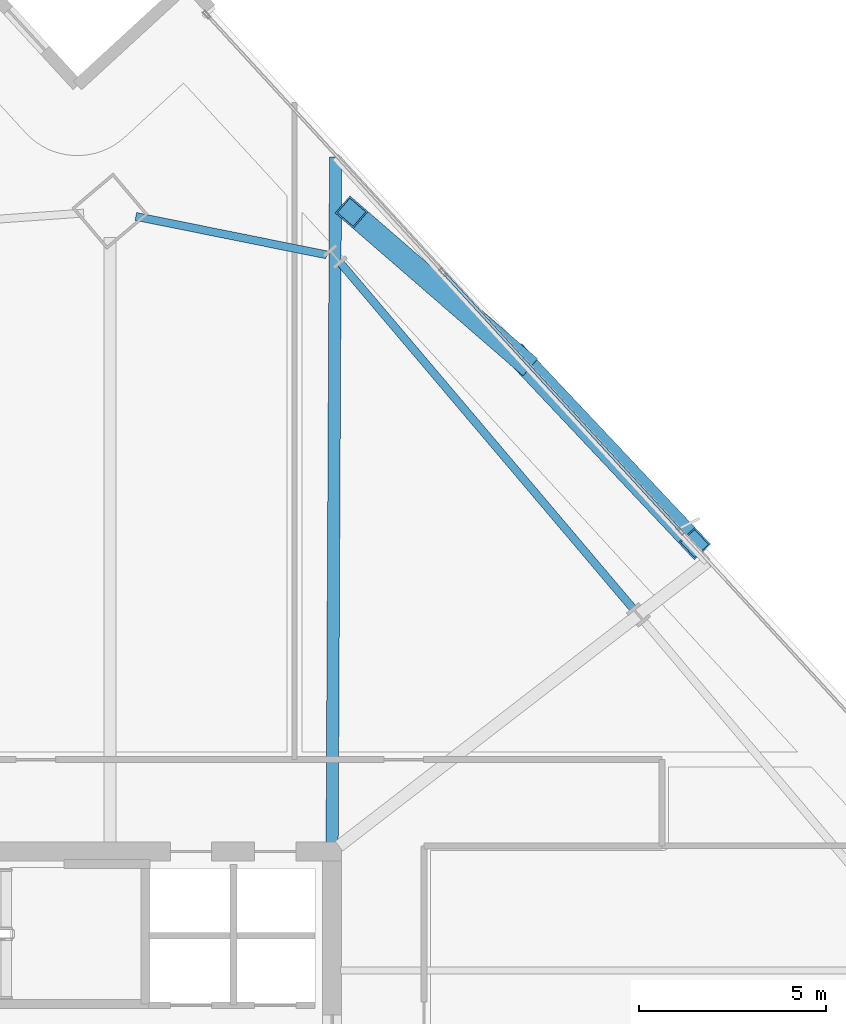
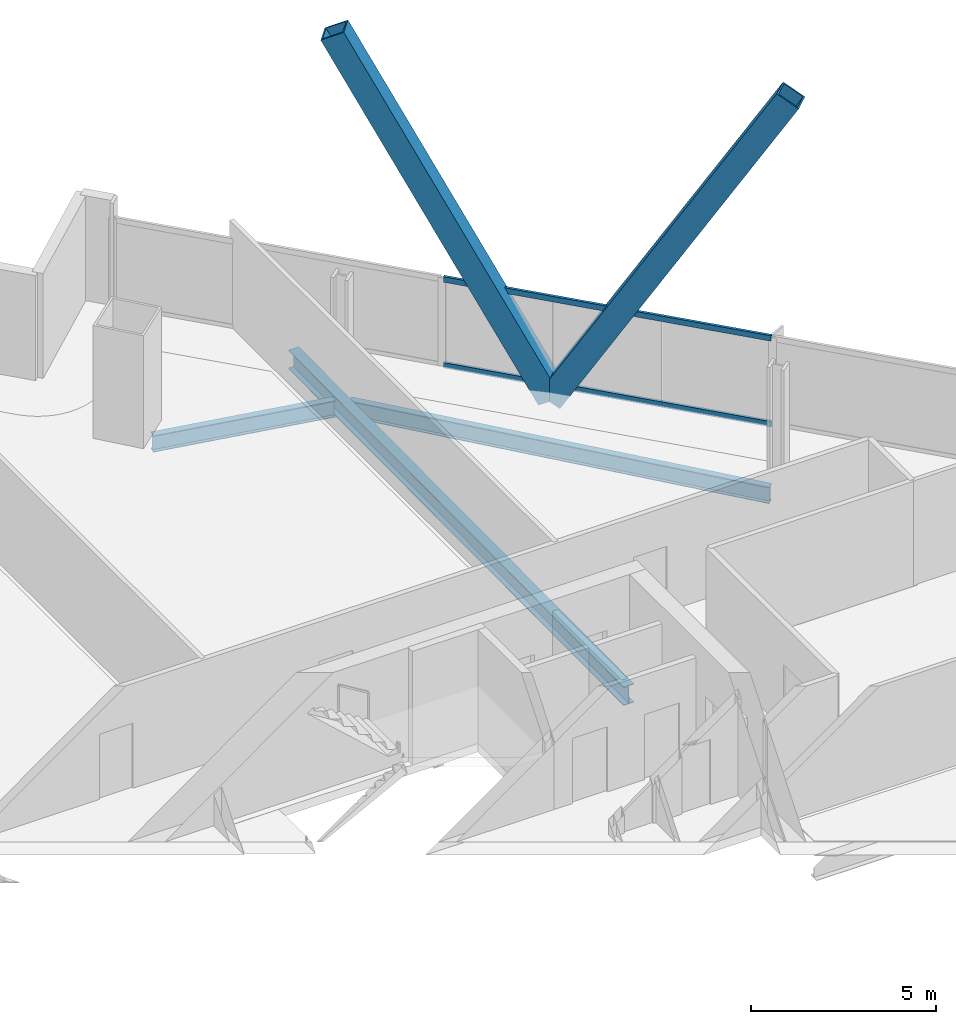
# One storey, part 21 of 32: 4 members, 3 beams, 1 element without a shape of its own.
"""IFC4 building model written with IfcOpenShell, lengths in metres."""

import ifcopenshell
import ifcopenshell.guid

model = None  # the IFC model being written
_history = None  # IfcOwnerHistory: only IFC2X3 demands one
_inside = {}  # id of a spatial element -> (the spatial element, [elements in it])
_under = {}  # id of a project, library or spatial element -> (it, [spatial elements below it])
_declared = {}  # id of a project -> (the project, [libraries it declares])
_typed = {}  # id of a type object -> (the type object, [elements of that type])
_made_of = {}  # id of a material, layer set ... -> (it, [elements and type objects made of it])


def new_model(schema):
    """Start an empty IFC model of exactly this schema.

    Asked for "IFC4X3", IfcOpenShell would pick the latest addendum, in which some entities
    have other attributes; the version numbers below select the first issue.
    IFC2X3 requires an IfcOwnerHistory on every rooted entity: one is made here for all.
    """
    global model, _history
    if schema == "IFC4X3":
        model = ifcopenshell.file(schema_version=(4, 3, 0, 0))
    else:
        model = ifcopenshell.file(schema=schema)
    _inside.clear()
    _under.clear()
    _declared.clear()
    _typed.clear()
    _made_of.clear()
    _history = None
    if model.schema == "IFC2X3":
        org = make("IfcOrganization", Name="unknown")
        user = make(
            "IfcPersonAndOrganization",
            ThePerson=make("IfcPerson", FamilyName="unknown"),
            TheOrganization=org,
        )
        app = make(
            "IfcApplication",
            ApplicationDeveloper=org,
            Version="unknown",
            ApplicationFullName="unknown",
            ApplicationIdentifier="unknown",
        )
        _history = make(
            "IfcOwnerHistory",
            OwningUser=user,
            OwningApplication=app,
            ChangeAction="ADDED",
            CreationDate=0,
        )
    return model


def make(cls, **values):
    """One entity of the class cls with the attributes given. An attribute that is None is left unset."""
    return model.create_entity(
        cls, **{name: value for name, value in values.items() if value is not None}
    )


def rooted(cls, **values):
    """An entity with a GlobalId (a new one), such as an element, a storey or a relation."""
    return make(cls, GlobalId=ifcopenshell.guid.new(), OwnerHistory=_history, **values)


def si_unit(unit_type, name, prefix=None):
    """IfcSIUnit, for example si_unit("LENGTHUNIT", "METRE", prefix="MILLI")."""
    return make("IfcSIUnit", UnitType=unit_type, Prefix=prefix, Name=name)


def assignment(units):
    """IfcUnitAssignment: the units of a project."""
    return None if units is None else make("IfcUnitAssignment", Units=units)


def point(xyz):
    """IfcCartesianPoint."""
    return None if xyz is None else make("IfcCartesianPoint", Coordinates=xyz)


def direction(xyz):
    """IfcDirection."""
    return None if xyz is None else make("IfcDirection", DirectionRatios=xyz)


def frame(location, z_axis=None, x_axis=None):
    """IfcAxis2Placement3D, a coordinate frame: its origin and axes. An axis left out is left unset."""
    return make(
        "IfcAxis2Placement3D",
        Location=point(location),
        Axis=direction(z_axis),
        RefDirection=direction(x_axis),
    )


def frame_2d(location, x_axis=None):
    """IfcAxis2Placement2D, a coordinate frame in the plane: its origin and x axis."""
    return make(
        "IfcAxis2Placement2D", Location=point(location), RefDirection=direction(x_axis)
    )


def origin():
    """The frame at (0, 0, 0) with its axes left unset."""
    return frame((0.0, 0.0, 0.0))


def origin_2d():
    """The frame at (0, 0) in the plane with its x axis left unset."""
    return frame_2d((0.0, 0.0))


def place(relative_to, where):
    """IfcLocalPlacement: puts the frame where relative to a parent placement (None: the world)."""
    return make(
        "IfcLocalPlacement", PlacementRelTo=relative_to, RelativePlacement=where
    )


def context(
    kind, dimensions, precision=None, world=None, true_north=None, identifier=None
):
    """IfcGeometricRepresentationContext, for example the 3D "Model" context."""
    return make(
        "IfcGeometricRepresentationContext",
        ContextIdentifier=identifier,
        ContextType=kind,
        CoordinateSpaceDimension=dimensions,
        Precision=precision,
        WorldCoordinateSystem=world,
        TrueNorth=true_north,
    )


def subcontext(parent, identifier, kind, view, scale=None):
    """IfcGeometricRepresentationSubContext, for example "Body" below "Model"."""
    return make(
        "IfcGeometricRepresentationSubContext",
        ContextIdentifier=identifier,
        ContextType=kind,
        ParentContext=parent,
        TargetScale=scale,
        TargetView=view,
    )


def project(units=None, contexts=None):
    """IfcProject with its units and contexts."""
    return rooted(
        "IfcProject",
        Name="project",
        RepresentationContexts=contexts,
        UnitsInContext=assignment(units),
    )


def spatial(cls, under=None, at=None, **own):
    """A site, building, storey or space (cls), placed at a placement, below another one or the project."""
    s = rooted(cls, ObjectPlacement=at, **own)
    if under is not None:
        _under.setdefault(under.id(), (under, []))[1].append(s)
    return s


def profile(cls, at=None, kind="AREA", **sizes):
    """A parametric profile (cls). Its sizes go by their IFC names, for example OverallWidth=200.0."""
    return make(cls, ProfileType=kind, Position=at, **sizes)


def hollow_rectangle(**sizes):
    """IfcRectangleHollowProfileDef."""
    return profile("IfcRectangleHollowProfileDef", **sizes)


def i_section(**sizes):
    """IfcIShapeProfileDef."""
    return profile("IfcIShapeProfileDef", **sizes)


def extrude(swept, where, along, depth):
    """IfcExtrudedAreaSolid: the profile swept, set in the frame where, extruded along a direction by depth."""
    return make(
        "IfcExtrudedAreaSolid",
        SweptArea=swept,
        Position=where,
        ExtrudedDirection=direction(along),
        Depth=depth,
    )


def shape(context_of_items, identifier, shape_type, items):
    """IfcShapeRepresentation: the items that make up one representation, for example the "Body"."""
    return make(
        "IfcShapeRepresentation",
        ContextOfItems=context_of_items,
        RepresentationIdentifier=identifier,
        RepresentationType=shape_type,
        Items=items,
    )


def material(Name=None, Category=None):
    """IfcMaterial."""
    return make("IfcMaterial", Name=Name, Category=Category)


def material_profile(
    of_material, cross_section, Name=None, Category=None, Priority=None
):
    """IfcMaterialProfile: a cross section and its material."""
    return make(
        "IfcMaterialProfile",
        Name=Name,
        Material=of_material,
        Profile=cross_section,
        Priority=Priority,
        Category=Category,
    )


def profile_set(profiles, Name=None, composite=None):
    """IfcMaterialProfileSet."""
    return make(
        "IfcMaterialProfileSet",
        Name=Name,
        MaterialProfiles=profiles,
        CompositeProfile=composite,
    )


def made_of(thing, what):
    """Note that an element or type object is made of a material, layer set ...; save() writes the relation."""
    if what is not None:
        _made_of.setdefault(what.id(), (what, []))[1].append(thing)
    return thing


def type_object(cls, material=None, **own):
    """A type object (cls), such as IfcWallType, which elements share."""
    return made_of(rooted(cls, **own), material)


def element(
    cls,
    number,
    at=None,
    inside=None,
    cuts=None,
    type_object=None,
    material=None,
    context=None,
    identifier="Body",
    shape_type=None,
    held_by="IfcProductDefinitionShape",
    body=None,
    shapes=None,
    **own,
):
    """One element of the class cls, such as IfcWall. Its Tag is "e" and its number.

    at: its placement. inside: the storey or other place that contains it. cuts: it is an
    opening in that element (IfcRelVoidsElement). A single representation is given by context,
    identifier, shape_type and body (its items); several are given by shapes. held_by: the class
    of the entity that holds the representations. save() writes the other relations.
    """
    e = rooted(cls, Tag="e%d" % number, ObjectPlacement=at, **own)
    if body is not None:
        shapes = [shape(context, identifier, shape_type, body)]
    if shapes is not None:
        e.Representation = make(held_by, Representations=shapes)
    if inside is not None:
        _inside.setdefault(inside.id(), (inside, []))[1].append(e)
    if cuts is not None:
        rooted(
            "IfcRelVoidsElement", RelatingBuildingElement=cuts, RelatedOpeningElement=e
        )
    if type_object is not None:
        _typed.setdefault(type_object.id(), (type_object, []))[1].append(e)
    return made_of(e, material)


def aggregate(whole, parts):
    """IfcRelAggregates: a whole, such as a stair, and the parts it consists of."""
    return rooted("IfcRelAggregates", RelatingObject=whole, RelatedObjects=parts)


def save(model, path):
    """Write the relations noted so far, then the file.

    IfcRelAggregates (storeys below a building ...), IfcRelContainedInSpatialStructure (elements
    in a storey), IfcRelDefinesByType, IfcRelAssociatesMaterial and IfcRelDeclares: one each for
    every whole, place, type object, material and project.
    """
    for whole, parts in _under.values():
        aggregate(whole, parts)
    for where, things in _inside.values():
        rooted(
            "IfcRelContainedInSpatialStructure",
            RelatedElements=things,
            RelatingStructure=where,
        )
    for kind, things in _typed.values():
        rooted("IfcRelDefinesByType", RelatedObjects=things, RelatingType=kind)
    for what, things in _made_of.values():
        rooted("IfcRelAssociatesMaterial", RelatedObjects=things, RelatingMaterial=what)
    for by, libraries in _declared.values():
        rooted("IfcRelDeclares", RelatingContext=by, RelatedDefinitions=libraries)
    model.write(path)


model = new_model("IFC4")

# Units and contexts
model_context = context("Model", 3, precision=1e-05, world=origin(), true_north=direction((0.0, 1.0)))
body_context = subcontext(model_context, "Body", "Model", "MODEL_VIEW")
ifc_project = project(units=[si_unit("LENGTHUNIT", "METRE"), si_unit("AREAUNIT", "SQUARE_METRE"), si_unit("VOLUMEUNIT", "CUBIC_METRE"), si_unit("PLANEANGLEUNIT", "RADIAN"), si_unit("MASSUNIT", "GRAM", prefix="KILO")], contexts=[model_context])

# Site, building, storey
site_placement = place(None, origin())
site = spatial("IfcSite", under=ifc_project, at=site_placement, CompositionType="ELEMENT")
building_placement = place(site_placement, origin())
building = spatial("IfcBuilding", under=site, at=building_placement, Name="Haldenkirk Collegiate Tower", CompositionType="ELEMENT")
storey_placement = place(building_placement, frame((0.0, 0.0, 170.699951171875)))
storey = spatial("IfcBuildingStorey", under=building, at=storey_placement, Name="L42", CompositionType="ELEMENT", Elevation=170.699951171875)

# Beams
ifc_material_1 = material(Name="Steel ASTM A992 Grade 50", Category="steel")
ifc_material_profile_1 = material_profile(ifc_material_1, i_section(OverallWidth=0.324951171875, OverallDepth=0.615966796875, WebThickness=0.013916015625, FlangeThickness=0.021484375, at=origin_2d()), Name="W24X117")
ifc_profile_set_1 = profile_set([ifc_material_profile_1], Name="Steel ASTM A992 Grade 50")
beam_type_1 = type_object("IfcBeamType", Name="BM-GIRDER-W24X117", PredefinedType="BEAM", material=ifc_profile_set_1)
beam_1_placement = place(storey_placement, frame((45.09326171875, 52.51611328125, -0.597900390625), z_axis=(-0.005033314078, -0.999987332794, 0.0), x_axis=(0.999987332794, -0.005033314078, 0.0)))
element("IfcBeam", 1, at=beam_1_placement, inside=storey, type_object=beam_type_1, Name="L42 primary floor girder 10", PredefinedType="BEAM", context=body_context, shape_type="SweptSolid", body=[
    extrude(i_section(OverallWidth=0.324951171875, OverallDepth=0.615966796875, WebThickness=0.013916015625, FlangeThickness=0.021484375, at=origin_2d()), origin(), (0.0, 0.0, 1.0), 18.286376953125),
])
ifc_material_profile_2 = material_profile(ifc_material_1, i_section(OverallWidth=0.2119140625, OverallDepth=0.5439453125, WebThickness=0.01318359375, FlangeThickness=0.021240234375, at=origin_2d()), Name="W21X83")
ifc_profile_set_2 = profile_set([ifc_material_profile_2], Name="Steel ASTM A992 Grade 50")
beam_type_2 = type_object("IfcBeamType", Name="BM-SPANDREL-W21X83", PredefinedType="SPANDREL", material=ifc_profile_set_2)
beam_2_placement = place(storey_placement, frame((53.023193359375, 40.482177734375, -0.56201171875), z_axis=(-0.646126367676, 0.763230448157, 0.0), x_axis=(-0.763230448157, -0.646126367676, 0.0)))
element("IfcBeam", 2, at=beam_2_placement, inside=storey, type_object=beam_type_2, Name="L42 perimeter spandrel beam 07", PredefinedType="SPANDREL", context=body_context, shape_type="SweptSolid", body=[
    extrude(i_section(OverallWidth=0.2119140625, OverallDepth=0.5439453125, WebThickness=0.01318359375, FlangeThickness=0.021240234375, at=origin_2d()), origin(), (0.0, 0.0, 1.0), 12.06494140625),
])
beam_3_placement = place(storey_placement, frame((44.85546875, 49.910400390625, -0.56201171875), z_axis=(-0.980286465062, 0.197581493102, 0.0), x_axis=(-0.197581493102, -0.980286465062, 0.0)))
element("IfcBeam", 3, at=beam_3_placement, inside=storey, type_object=beam_type_2, Name="L42 perimeter spandrel beam 08", PredefinedType="SPANDREL", context=body_context, shape_type="SweptSolid", body=[
    extrude(i_section(OverallWidth=0.2119140625, OverallDepth=0.5439453125, WebThickness=0.01318359375, FlangeThickness=0.021240234375, at=origin_2d()), origin(), (0.0, 0.0, 1.0), 5.189697265625),
])

# Curtain wall, members
ifc_material_2 = material(Name="Anodised architectural bronze aluminium", Category="aluminium")
curtain_wall_type = type_object("IfcCurtainWallType", Name="CW-SYS1-CONVEX-LOW", PredefinedType="USERDEFINED", material=ifc_material_2)
curtain_wall_placement = place(storey_placement, origin())
curtain_wall = element("IfcCurtainWall", 4, at=curtain_wall_placement, inside=storey, type_object=curtain_wall_type, Name="L42 Lower tower convex bronze-framed unitised curtain wall", ObjectType="UNITISED CURTAIN WALL", PredefinedType="USERDEFINED")
ifc_material_profile_3 = material_profile(ifc_material_2, hollow_rectangle(XDim=0.080078125, YDim=0.179931640625, WallThickness=0.0048828125, at=origin_2d()), Name="CW-TRN-1A")
ifc_profile_set_3 = profile_set([ifc_material_profile_3], Name="Anodised architectural bronze aluminium")
member_type_1 = type_object("IfcMemberType", Name="CW-TRN-1A", PredefinedType="USERDEFINED", material=ifc_profile_set_3)
member_1_placement = place(storey_placement, frame((47.992431640625, 49.4169921875, 0.0400390625), z_axis=(0.67622078638, -0.736699021356, 0.0), x_axis=(0.736699021356, 0.67622078638, 0.0)))
member_1 = element("IfcMember", 5, at=member_1_placement, type_object=member_type_1, Name="CW-1A transom 2.1", ObjectType="TRANSOM", PredefinedType="USERDEFINED", context=body_context, shape_type="SweptSolid", body=[
    extrude(hollow_rectangle(XDim=0.080078125, YDim=0.179931640625, WallThickness=0.0048828125, at=origin_2d()), origin(), (0.0, 0.0, 1.0), 9.288818359375),
])
member_2_placement = place(storey_placement, frame((47.992431640625, 49.4169921875, 2.87109375), z_axis=(0.67622078638, -0.736699021356, 0.0), x_axis=(0.736699021356, 0.67622078638, 0.0)))
member_2 = element("IfcMember", 6, at=member_2_placement, type_object=member_type_1, Name="CW-1A transom 2.2", ObjectType="TRANSOM", PredefinedType="USERDEFINED", context=body_context, shape_type="SweptSolid", body=[
    extrude(hollow_rectangle(XDim=0.080078125, YDim=0.179931640625, WallThickness=0.0048828125, at=origin_2d()), origin(), (0.0, 0.0, 1.0), 9.288818359375),
])
aggregate(curtain_wall, [member_1, member_2])

# Members
ifc_material_3 = material(Name="Steel ASTM A572 Grade 50", Category="steel")
ifc_material_profile_4 = material_profile(ifc_material_3, hollow_rectangle(XDim=0.60009765625, YDim=0.719970703125, WallThickness=0.044921875, at=origin_2d()), Name="BOX720X600X45")
ifc_profile_set_4 = profile_set([ifc_material_profile_4], Name="Steel ASTM A572 Grade 50")
member_type_2 = type_object("IfcMemberType", Name="MBR-MEGABRACE-BOX720X600X45", PredefinedType="BRACE", material=ifc_profile_set_4)
member_3_placement = place(storey_placement, frame((50.048095703125, 47.118408203125, -0.300048828125), z_axis=(0.352288009351, -0.374107041585, 0.85786775199), x_axis=(0.72801809174, 0.685557917392, 0.0)))
element("IfcMember", 7, at=member_3_placement, inside=storey, type_object=member_type_2, Name="Perimeter Mega Brace Z3 L42-L44 EL", PredefinedType="BRACE", context=body_context, shape_type="SweptSolid", body=[
    extrude(hollow_rectangle(XDim=0.60009765625, YDim=0.719970703125, WallThickness=0.044921875, at=origin_2d()), origin(), (0.0, 0.0, 1.0), 13.114013671875),
])
member_4_placement = place(storey_placement, frame((50.048095703125, 47.118408203125, -0.300048828125), z_axis=(-0.355246273727, 0.308171210876, 0.882513790142), x_axis=(-0.655283956156, -0.755382642642, 0.0)))
element("IfcMember", 8, at=member_4_placement, inside=storey, type_object=member_type_2, Name="Perimeter Mega Brace Z3 L42-L44 ER", PredefinedType="BRACE", context=body_context, shape_type="SweptSolid", body=[
    extrude(hollow_rectangle(XDim=0.60009765625, YDim=0.719970703125, WallThickness=0.044921875, at=origin_2d()), origin(), (0.0, 0.0, 1.0), 12.74755859375),
])

save(model, "model.ifc")
